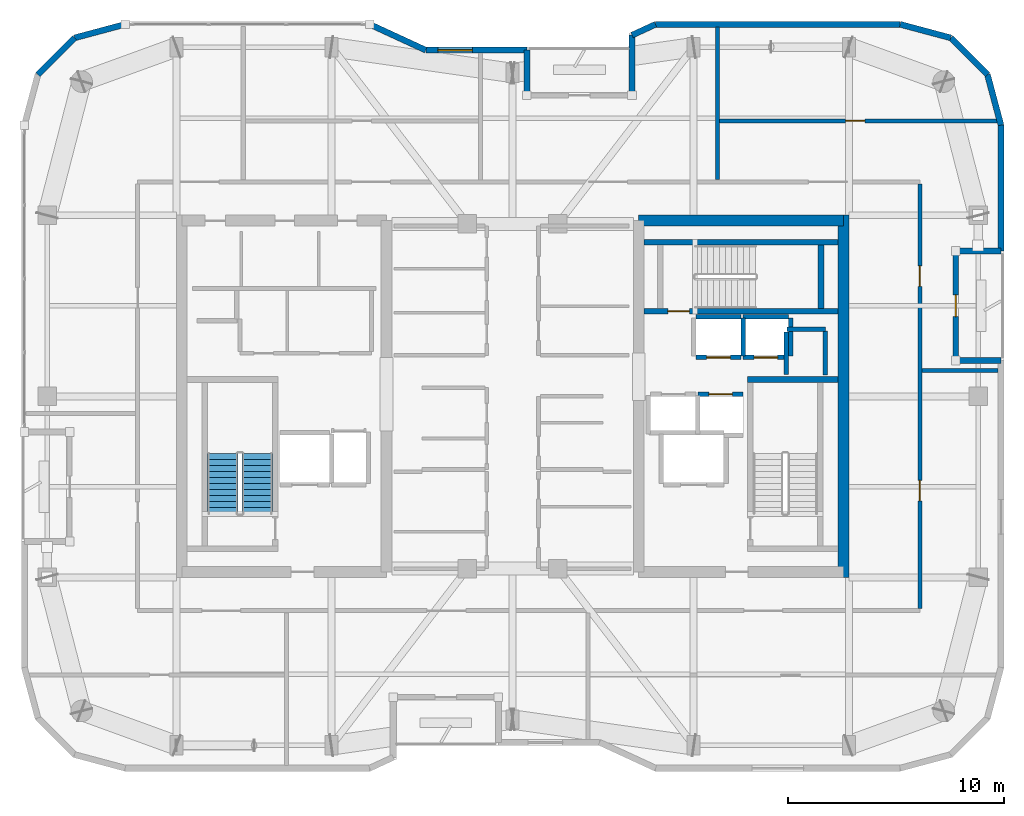
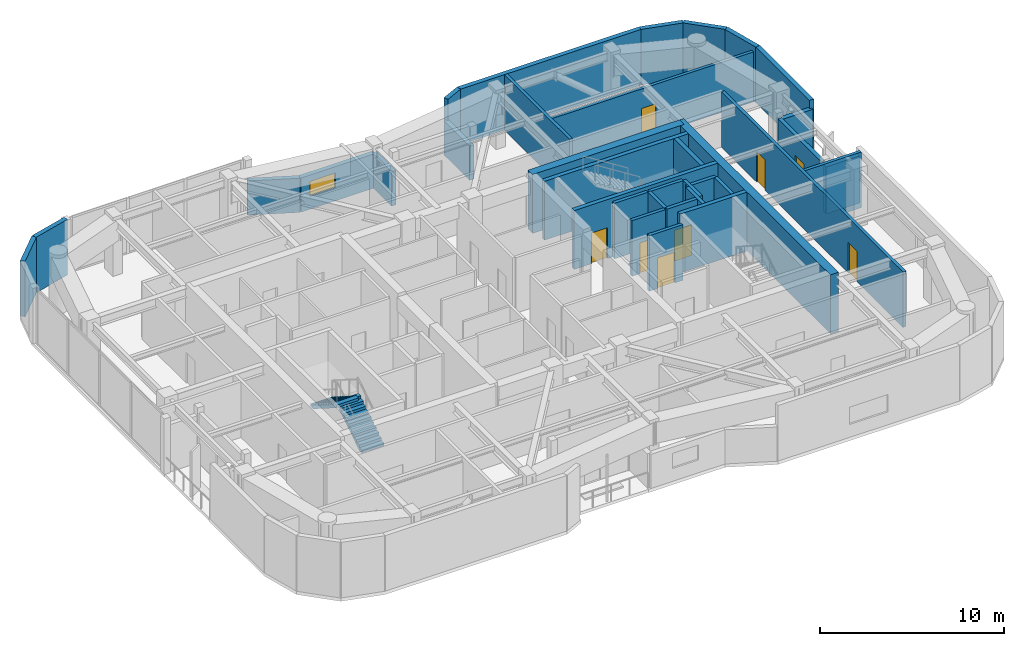
# One storey, part 13 of 16: 35 walls, 8 doors, 2 stair flights, 1 window, 9 openings, 1 element without a shape of its own.
"""IFC4 building model written with IfcOpenShell, lengths in metres."""

import ifcopenshell
import ifcopenshell.guid

model = None  # the IFC model being written
_history = None  # IfcOwnerHistory: only IFC2X3 demands one
_inside = {}  # id of a spatial element -> (the spatial element, [elements in it])
_under = {}  # id of a project, library or spatial element -> (it, [spatial elements below it])
_declared = {}  # id of a project -> (the project, [libraries it declares])
_typed = {}  # id of a type object -> (the type object, [elements of that type])
_made_of = {}  # id of a material, layer set ... -> (it, [elements and type objects made of it])


def new_model(schema):
    """Start an empty IFC model of exactly this schema.

    Asked for "IFC4X3", IfcOpenShell would pick the latest addendum, in which some entities
    have other attributes; the version numbers below select the first issue.
    IFC2X3 requires an IfcOwnerHistory on every rooted entity: one is made here for all.
    """
    global model, _history
    if schema == "IFC4X3":
        model = ifcopenshell.file(schema_version=(4, 3, 0, 0))
    else:
        model = ifcopenshell.file(schema=schema)
    _inside.clear()
    _under.clear()
    _declared.clear()
    _typed.clear()
    _made_of.clear()
    _history = None
    if model.schema == "IFC2X3":
        org = make("IfcOrganization", Name="unknown")
        user = make(
            "IfcPersonAndOrganization",
            ThePerson=make("IfcPerson", FamilyName="unknown"),
            TheOrganization=org,
        )
        app = make(
            "IfcApplication",
            ApplicationDeveloper=org,
            Version="unknown",
            ApplicationFullName="unknown",
            ApplicationIdentifier="unknown",
        )
        _history = make(
            "IfcOwnerHistory",
            OwningUser=user,
            OwningApplication=app,
            ChangeAction="ADDED",
            CreationDate=0,
        )
    return model


def make(cls, **values):
    """One entity of the class cls with the attributes given. An attribute that is None is left unset."""
    return model.create_entity(
        cls, **{name: value for name, value in values.items() if value is not None}
    )


def rooted(cls, **values):
    """An entity with a GlobalId (a new one), such as an element, a storey or a relation."""
    return make(cls, GlobalId=ifcopenshell.guid.new(), OwnerHistory=_history, **values)


def si_unit(unit_type, name, prefix=None):
    """IfcSIUnit, for example si_unit("LENGTHUNIT", "METRE", prefix="MILLI")."""
    return make("IfcSIUnit", UnitType=unit_type, Prefix=prefix, Name=name)


def assignment(units):
    """IfcUnitAssignment: the units of a project."""
    return None if units is None else make("IfcUnitAssignment", Units=units)


def point(xyz):
    """IfcCartesianPoint."""
    return None if xyz is None else make("IfcCartesianPoint", Coordinates=xyz)


def direction(xyz):
    """IfcDirection."""
    return None if xyz is None else make("IfcDirection", DirectionRatios=xyz)


def frame(location, z_axis=None, x_axis=None):
    """IfcAxis2Placement3D, a coordinate frame: its origin and axes. An axis left out is left unset."""
    return make(
        "IfcAxis2Placement3D",
        Location=point(location),
        Axis=direction(z_axis),
        RefDirection=direction(x_axis),
    )


def frame_2d(location, x_axis=None):
    """IfcAxis2Placement2D, a coordinate frame in the plane: its origin and x axis."""
    return make(
        "IfcAxis2Placement2D", Location=point(location), RefDirection=direction(x_axis)
    )


def origin():
    """The frame at (0, 0, 0) with its axes left unset."""
    return frame((0.0, 0.0, 0.0))


def place(relative_to, where):
    """IfcLocalPlacement: puts the frame where relative to a parent placement (None: the world)."""
    return make(
        "IfcLocalPlacement", PlacementRelTo=relative_to, RelativePlacement=where
    )


def context(
    kind, dimensions, precision=None, world=None, true_north=None, identifier=None
):
    """IfcGeometricRepresentationContext, for example the 3D "Model" context."""
    return make(
        "IfcGeometricRepresentationContext",
        ContextIdentifier=identifier,
        ContextType=kind,
        CoordinateSpaceDimension=dimensions,
        Precision=precision,
        WorldCoordinateSystem=world,
        TrueNorth=true_north,
    )


def subcontext(parent, identifier, kind, view, scale=None):
    """IfcGeometricRepresentationSubContext, for example "Body" below "Model"."""
    return make(
        "IfcGeometricRepresentationSubContext",
        ContextIdentifier=identifier,
        ContextType=kind,
        ParentContext=parent,
        TargetScale=scale,
        TargetView=view,
    )


def project(units=None, contexts=None):
    """IfcProject with its units and contexts."""
    return rooted(
        "IfcProject",
        Name="project",
        RepresentationContexts=contexts,
        UnitsInContext=assignment(units),
    )


def spatial(cls, under=None, at=None, **own):
    """A site, building, storey or space (cls), placed at a placement, below another one or the project."""
    s = rooted(cls, ObjectPlacement=at, **own)
    if under is not None:
        _under.setdefault(under.id(), (under, []))[1].append(s)
    return s


def polyline(points):
    """IfcPolyline through the points."""
    return make("IfcPolyline", Points=[point(p) for p in points])


def profile(cls, at=None, kind="AREA", **sizes):
    """A parametric profile (cls). Its sizes go by their IFC names, for example OverallWidth=200.0."""
    return make(cls, ProfileType=kind, Position=at, **sizes)


def rectangle(**sizes):
    """IfcRectangleProfileDef."""
    return profile("IfcRectangleProfileDef", **sizes)


def outline(outer, holes=None, kind="AREA"):
    """IfcArbitraryClosedProfileDef: a profile drawn as a closed curve; with holes, ...WithVoids."""
    if holes is None:
        return make("IfcArbitraryClosedProfileDef", ProfileType=kind, OuterCurve=outer)
    return make(
        "IfcArbitraryProfileDefWithVoids",
        ProfileType=kind,
        OuterCurve=outer,
        InnerCurves=holes,
    )


def extrude(swept, where, along, depth):
    """IfcExtrudedAreaSolid: the profile swept, set in the frame where, extruded along a direction by depth."""
    return make(
        "IfcExtrudedAreaSolid",
        SweptArea=swept,
        Position=where,
        ExtrudedDirection=direction(along),
        Depth=depth,
    )


def shape(context_of_items, identifier, shape_type, items):
    """IfcShapeRepresentation: the items that make up one representation, for example the "Body"."""
    return make(
        "IfcShapeRepresentation",
        ContextOfItems=context_of_items,
        RepresentationIdentifier=identifier,
        RepresentationType=shape_type,
        Items=items,
    )


def material(Name=None, Category=None):
    """IfcMaterial."""
    return make("IfcMaterial", Name=Name, Category=Category)


def layer(
    of_material, thickness, ventilated=None, Name=None, Category=None, Priority=None
):
    """IfcMaterialLayer: one layer of a wall or slab, of a material (None: an air gap)."""
    return make(
        "IfcMaterialLayer",
        Material=of_material,
        LayerThickness=thickness,
        IsVentilated=ventilated,
        Name=Name,
        Category=Category,
        Priority=Priority,
    )


def layer_set(layers, Name=None):
    """IfcMaterialLayerSet."""
    return make("IfcMaterialLayerSet", MaterialLayers=layers, LayerSetName=Name)


def made_of(thing, what):
    """Note that an element or type object is made of a material, layer set ...; save() writes the relation."""
    if what is not None:
        _made_of.setdefault(what.id(), (what, []))[1].append(thing)
    return thing


def type_object(cls, material=None, **own):
    """A type object (cls), such as IfcWallType, which elements share."""
    return made_of(rooted(cls, **own), material)


def element(
    cls,
    number,
    at=None,
    inside=None,
    cuts=None,
    type_object=None,
    material=None,
    context=None,
    identifier="Body",
    shape_type=None,
    held_by="IfcProductDefinitionShape",
    body=None,
    shapes=None,
    **own,
):
    """One element of the class cls, such as IfcWall. Its Tag is "e" and its number.

    at: its placement. inside: the storey or other place that contains it. cuts: it is an
    opening in that element (IfcRelVoidsElement). A single representation is given by context,
    identifier, shape_type and body (its items); several are given by shapes. held_by: the class
    of the entity that holds the representations. save() writes the other relations.
    """
    e = rooted(cls, Tag="e%d" % number, ObjectPlacement=at, **own)
    if body is not None:
        shapes = [shape(context, identifier, shape_type, body)]
    if shapes is not None:
        e.Representation = make(held_by, Representations=shapes)
    if inside is not None:
        _inside.setdefault(inside.id(), (inside, []))[1].append(e)
    if cuts is not None:
        rooted(
            "IfcRelVoidsElement", RelatingBuildingElement=cuts, RelatedOpeningElement=e
        )
    if type_object is not None:
        _typed.setdefault(type_object.id(), (type_object, []))[1].append(e)
    return made_of(e, material)


def fill(opening, filler):
    """IfcRelFillsElement: the door or window that sits in an opening."""
    return rooted(
        "IfcRelFillsElement",
        RelatingOpeningElement=opening,
        RelatedBuildingElement=filler,
    )


def aggregate(whole, parts):
    """IfcRelAggregates: a whole, such as a stair, and the parts it consists of."""
    return rooted("IfcRelAggregates", RelatingObject=whole, RelatedObjects=parts)


def save(model, path):
    """Write the relations noted so far, then the file.

    IfcRelAggregates (storeys below a building ...), IfcRelContainedInSpatialStructure (elements
    in a storey), IfcRelDefinesByType, IfcRelAssociatesMaterial and IfcRelDeclares: one each for
    every whole, place, type object, material and project.
    """
    for whole, parts in _under.values():
        aggregate(whole, parts)
    for where, things in _inside.values():
        rooted(
            "IfcRelContainedInSpatialStructure",
            RelatedElements=things,
            RelatingStructure=where,
        )
    for kind, things in _typed.values():
        rooted("IfcRelDefinesByType", RelatedObjects=things, RelatingType=kind)
    for what, things in _made_of.values():
        rooted("IfcRelAssociatesMaterial", RelatedObjects=things, RelatingMaterial=what)
    for by, libraries in _declared.values():
        rooted("IfcRelDeclares", RelatingContext=by, RelatedDefinitions=libraries)
    model.write(path)


model = new_model("IFC4")

# Units and contexts
model_context = context("Model", 3, precision=1e-05, world=origin(), true_north=direction((0.0, 1.0)))
body_context = subcontext(model_context, "Body", "Model", "MODEL_VIEW")
ifc_project = project(units=[si_unit("LENGTHUNIT", "METRE"), si_unit("AREAUNIT", "SQUARE_METRE"), si_unit("VOLUMEUNIT", "CUBIC_METRE"), si_unit("PLANEANGLEUNIT", "RADIAN"), si_unit("MASSUNIT", "GRAM", prefix="KILO")], contexts=[model_context])

# Site, building, storey
site_placement = place(None, origin())
site = spatial("IfcSite", under=ifc_project, at=site_placement, CompositionType="ELEMENT")
building_placement = place(site_placement, origin())
building = spatial("IfcBuilding", under=site, at=building_placement, Name="Kiyonajd Concourse Tower", CompositionType="ELEMENT")
storey_placement = place(building_placement, frame((0.0, 0.0, 325.800048828125)))
storey = spatial("IfcBuildingStorey", under=building, at=storey_placement, Name="L82", CompositionType="ELEMENT", Elevation=325.800048828125)

# Walls
ifc_material_1 = material(Name="Concrete C60/75", Category="concrete")
ifc_layer_1 = layer(ifc_material_1, 0.5)
ifc_layer_set_1 = layer_set([ifc_layer_1], Name="Concrete C60/75")
wall_type_1 = type_object("IfcWallType", Name="WL-CORE-500", PredefinedType="SHEAR", material=ifc_layer_set_1)
wall_1_placement = place(storey_placement, frame((63.35009765625, 27.60009765625, 0.0), z_axis=(0.0, 0.0, 1.0), x_axis=(0.0, 1.0, 0.0)))
element("IfcWall", 1, at=wall_1_placement, inside=storey, type_object=wall_type_1, Name="L82 East Core Outer Shear Wall", PredefinedType="SHEAR", context=body_context, shape_type="SweptSolid", body=[
    extrude(rectangle(XDim=16.7998046875, YDim=0.5, at=frame_2d((8.39990234375, 0.0))), origin(), (0.0, 0.0, 1.0), 3.89990234375),
])
wall_2_placement = place(storey_placement, frame((53.85009765625, 44.14990234375, 0.0), z_axis=(0.0, 0.0, 1.0), x_axis=(1.0, 0.0, 0.0)))
element("IfcWall", 2, at=wall_2_placement, inside=storey, type_object=wall_type_1, Name="L82 East Core North Shear Wall", PredefinedType="SHEAR", context=body_context, shape_type="SweptSolid", body=[
    extrude(rectangle(XDim=9.5, YDim=0.5, at=frame_2d((4.75, 0.0))), origin(), (0.0, 0.0, 1.0), 3.89990234375),
])
ifc_material_2 = material(Name="Precast concrete C50/60", Category="concrete")
ifc_layer_2 = layer(ifc_material_2, 0.280029296875)
ifc_layer_set_2 = layer_set([ifc_layer_2], Name="Precast concrete C50/60")
wall_type_2 = type_object("IfcWallType", Name="WL-EXT-280", PredefinedType="SOLIDWALL", material=ifc_layer_set_2)
wall_3_placement = place(storey_placement, frame((25.968505859375, 50.927490234375, 0.0), z_axis=(0.0, 0.0, 1.0), x_axis=(0.707106781187, 0.707106781187, 0.0)))
element("IfcWall", 3, at=wall_3_placement, inside=storey, type_object=wall_type_2, Name="L82 Exterior Concrete Frame Wall 07", PredefinedType="SOLIDWALL", context=body_context, shape_type="SweptSolid", body=[
    extrude(rectangle(XDim=2.409912109375, YDim=0.280029296875, at=frame_2d((1.205078125, 0.0))), origin(), (0.0, 0.0, 1.0), 3.679931640625),
])
wall_4_placement = place(storey_placement, frame((27.672607421875, 52.631591796875, 0.0), z_axis=(0.0, 0.0, 1.0), x_axis=(0.965937282298, 0.25877628691, 0.0)))
element("IfcWall", 4, at=wall_4_placement, inside=storey, type_object=wall_type_2, Name="L82 Exterior Concrete Frame Wall 08", PredefinedType="SOLIDWALL", context=body_context, shape_type="SweptSolid", body=[
    extrude(rectangle(XDim=2.428466796875, YDim=0.280029296875, at=frame_2d((1.21435546875, 0.0))), origin(), (0.0, 0.0, 1.0), 3.679931640625),
])
wall_5_placement = place(storey_placement, frame((41.369384765625, 53.260009765625, 0.0), z_axis=(0.0, 0.0, 1.0), x_axis=(0.907956889006, -0.419063584324, 0.0)))
element("IfcWall", 5, at=wall_5_placement, inside=storey, type_object=wall_type_2, Name="L82 Exterior Concrete Frame Wall 10", PredefinedType="SOLIDWALL", context=body_context, shape_type="SweptSolid", body=[
    extrude(rectangle(XDim=2.863525390625, YDim=0.280029296875, at=frame_2d((1.431640625, 0.0))), origin(), (0.0, 0.0, 1.0), 2.264892578125),
])

# Wall, opening, window
wall_6_placement = place(storey_placement, frame((43.96923828125, 52.06005859375, 0.0), z_axis=(0.0, 0.0, 1.0), x_axis=(1.0, 0.0, 0.0)))
wall_6 = element("IfcWall", 6, at=wall_6_placement, inside=storey, type_object=wall_type_2, Name="L82 Exterior Concrete Frame Wall 11", PredefinedType="SOLIDWALL", context=body_context, shape_type="SweptSolid", body=[
    extrude(rectangle(XDim=4.690673828125, YDim=0.280029296875, at=frame_2d((2.34521484375, 0.0))), origin(), (0.0, 0.0, 1.0), 2.264892578125),
])
opening_1_placement = place(wall_6_placement, frame((0.56005859375, 0.0, 0.85009765625)))
opening_1 = element("IfcOpeningElement", 7, at=opening_1_placement, cuts=wall_6, Name="Opening WN6", PredefinedType="OPENING", context=body_context, shape_type="SweptSolid", body=[
    extrude(rectangle(XDim=1.60009765625, YDim=1.0, at=frame_2d((0.800048828125, 0.5))), frame((0.0, 0.14990234375, 0.0), z_axis=(0.0, -1.0, 0.0), x_axis=(1.0, 0.0, 0.0)), (0.0, 0.0, 1.0), 0.300048828125),
])
ifc_material_3 = material(Name="Double Low-E Insulated Glass", Category="glass")
window_type = type_object("IfcWindowType", Name="WN-VIS-1600x1000", PartitioningType="SINGLE_PANEL", PredefinedType="WINDOW", material=ifc_material_3)
window_placement = place(opening_1_placement, origin())
window = element("IfcWindow", 8, at=window_placement, inside=storey, type_object=window_type, Name="L82 Modular Facade Vision Window 11", OverallHeight=1.0, OverallWidth=1.60009765625, PartitioningType="SINGLE_PANEL", PredefinedType="WINDOW", context=body_context, shape_type="SweptSolid", body=[
    extrude(rectangle(XDim=1.60009765625, YDim=1.0, at=frame_2d((0.800048828125, 0.5))), frame((0.0, 0.030029296875, 0.0), z_axis=(0.0, -1.0, 0.0), x_axis=(1.0, 0.0, 0.0)), (0.0, 0.0, 1.0), 0.06005859375),
])
fill(opening_1, window)

# Walls
wall_7_placement = place(storey_placement, frame((48.659912109375, 52.06005859375, 0.0), z_axis=(0.0, 0.0, 1.0), x_axis=(0.0, -1.0, 0.0)))
element("IfcWall", 9, at=wall_7_placement, inside=storey, type_object=wall_type_2, Name="L82 Exterior Concrete Frame Wall 12", PredefinedType="SOLIDWALL", context=body_context, shape_type="SweptSolid", body=[
    extrude(rectangle(XDim=2.10009765625, YDim=0.280029296875, at=frame_2d((1.050048828125, 0.0))), origin(), (0.0, 0.0, 1.0), 2.264892578125),
])
wall_8_placement = place(storey_placement, frame((53.5400390625, 49.9599609375, 0.0), z_axis=(0.0, 0.0, 1.0), x_axis=(0.0, 1.0, 0.0)))
element("IfcWall", 10, at=wall_8_placement, inside=storey, type_object=wall_type_2, Name="L82 Exterior Concrete Frame Wall 14", PredefinedType="SOLIDWALL", context=body_context, shape_type="SweptSolid", body=[
    extrude(rectangle(XDim=2.79638671875, YDim=0.280029296875, at=frame_2d((1.398193359375, 0.0))), origin(), (0.0, 0.0, 1.0), 2.264892578125),
])
wall_9_placement = place(storey_placement, frame((53.5400390625, 52.75634765625, 0.0), z_axis=(0.0, 0.0, 1.0), x_axis=(0.907893953211, 0.419199916176, 0.0)))
element("IfcWall", 11, at=wall_9_placement, inside=storey, type_object=wall_type_2, Name="L82 Exterior Concrete Frame Wall 15", PredefinedType="SOLIDWALL", context=body_context, shape_type="SweptSolid", body=[
    extrude(rectangle(XDim=1.201416015625, YDim=0.280029296875, at=frame_2d((0.6005859375, 0.0))), origin(), (0.0, 0.0, 1.0), 3.679931640625),
])
wall_10_placement = place(storey_placement, frame((54.630859375, 53.260009765625, 0.0), z_axis=(0.0, 0.0, 1.0), x_axis=(1.0, 0.0, 0.0)))
element("IfcWall", 12, at=wall_10_placement, inside=storey, type_object=wall_type_2, Name="L82 Exterior Concrete Frame Wall 16", PredefinedType="SOLIDWALL", context=body_context, shape_type="SweptSolid", body=[
    extrude(rectangle(XDim=11.350830078125, YDim=0.280029296875, at=frame_2d((5.67529296875, 0.0))), origin(), (0.0, 0.0, 1.0), 3.679931640625),
])
wall_11_placement = place(storey_placement, frame((65.981689453125, 53.260009765625, 0.0), z_axis=(0.0, 0.0, 1.0), x_axis=(0.965937282298, -0.25877628691, 0.0)))
element("IfcWall", 13, at=wall_11_placement, inside=storey, type_object=wall_type_2, Name="L82 Exterior Concrete Frame Wall 17", PredefinedType="SOLIDWALL", context=body_context, shape_type="SweptSolid", body=[
    extrude(rectangle(XDim=2.428466796875, YDim=0.280029296875, at=frame_2d((1.21435546875, 0.0))), origin(), (0.0, 0.0, 1.0), 3.679931640625),
])
wall_12_placement = place(storey_placement, frame((68.327392578125, 52.631591796875, 0.0), z_axis=(0.0, 0.0, 1.0), x_axis=(0.707106781187, -0.707106781187, 0.0)))
element("IfcWall", 14, at=wall_12_placement, inside=storey, type_object=wall_type_2, Name="L82 Exterior Concrete Frame Wall 18", PredefinedType="SOLIDWALL", context=body_context, shape_type="SweptSolid", body=[
    extrude(rectangle(XDim=2.409912109375, YDim=0.280029296875, at=frame_2d((1.205078125, 0.0))), origin(), (0.0, 0.0, 1.0), 3.679931640625),
])
wall_13_placement = place(storey_placement, frame((70.031494140625, 50.927490234375, 0.0), z_axis=(0.0, 0.0, 1.0), x_axis=(0.258751159445, -0.965944013639, 0.0)))
element("IfcWall", 15, at=wall_13_placement, inside=storey, type_object=wall_type_2, Name="L82 Exterior Concrete Frame Wall 19", PredefinedType="SOLIDWALL", context=body_context, shape_type="SweptSolid", body=[
    extrude(rectangle(XDim=2.4287109375, YDim=0.280029296875, at=frame_2d((1.21435546875, 0.0))), origin(), (0.0, 0.0, 1.0), 3.679931640625),
])
wall_14_placement = place(storey_placement, frame((70.659912109375, 48.58154296875, 0.0), z_axis=(0.0, 0.0, 1.0), x_axis=(0.0, -1.0, 0.0)))
element("IfcWall", 16, at=wall_14_placement, inside=storey, type_object=wall_type_2, Name="L82 Exterior Concrete Frame Wall 20", PredefinedType="SOLIDWALL", context=body_context, shape_type="SweptSolid", body=[
    extrude(rectangle(XDim=5.841552734375, YDim=0.280029296875, at=frame_2d((2.9208984375, 0.0))), origin(), (0.0, 0.0, 1.0), 3.679931640625),
])
for number, where, z_axis, x_axis, name in (
    (17, (70.659912109375, 42.739990234375, 0.0), (0.0, 0.0, 1.0), (-1.0, 0.0, 0.0), "L82 Exterior Concrete Frame Wall 21"),
    (18, (68.56005859375, 37.659912109375, 0.0), (0.0, 0.0, 1.0), (1.0, 0.0, 0.0), "L82 Exterior Concrete Frame Wall 23"),
):
    element("IfcWall", number, at=place(storey_placement, frame(where, z_axis=z_axis, x_axis=x_axis)), inside=storey, type_object=wall_type_2, Name=name, PredefinedType="SOLIDWALL", context=body_context, shape_type="SweptSolid", body=[
        extrude(rectangle(XDim=2.099853515625, YDim=0.280029296875, at=frame_2d((1.0498046875, 0.0))), origin(), (0.0, 0.0, 1.0), 3.1259765625),
    ])

# Wall, opening, door
ifc_layer_3 = layer(ifc_material_2, 0.239990234375)
ifc_layer_set_3 = layer_set([ifc_layer_3], Name="Precast concrete C50/60")
wall_type_3 = type_object("IfcWallType", Name="WL-LOG-240", PredefinedType="SOLIDWALL", material=ifc_layer_set_3)
wall_15_placement = place(storey_placement, frame((68.56005859375, 42.544921875, 0.0), z_axis=(0.0, 0.0, 1.0), x_axis=(0.0, -1.0, 0.0)))
wall_15 = element("IfcWall", 19, at=wall_15_placement, inside=storey, type_object=wall_type_3, Name="L82 Recessed Loggia Thermal Wall LOG-E", PredefinedType="SOLIDWALL", context=body_context, shape_type="SweptSolid", body=[
    extrude(rectangle(XDim=4.68994140625, YDim=0.239990234375, at=frame_2d((2.344970703125, 0.0))), origin(), (0.0, 0.0, 1.0), 3.31103515625),
])
opening_2_placement = place(wall_15_placement, frame((1.844970703125, 0.0, 0.0)))
opening_2 = element("IfcOpeningElement", 20, at=opening_2_placement, cuts=wall_15, Name="Opening DL1", PredefinedType="OPENING", context=body_context, shape_type="SweptSolid", body=[
    extrude(rectangle(XDim=1.0, YDim=2.02001953125, at=frame_2d((0.5, 1.010009765625))), frame((0.0, 0.1298828125, 0.0), z_axis=(0.0, -1.0, 0.0), x_axis=(1.0, 0.0, 0.0)), (0.0, 0.0, 1.0), 0.260009765625),
])
ifc_material_4 = material(Name="Thermally Broken Anodised Aluminium", Category="aluminium")
door_type_1 = type_object("IfcDoorType", Name="DR-LOG-1000", OperationType="NOTDEFINED", PredefinedType="DOOR", material=ifc_material_4)
door_1_placement = place(opening_2_placement, origin())
door_1 = element("IfcDoor", 21, at=door_1_placement, inside=storey, type_object=door_type_1, Name="L82 Engawa Loggia Access Door LOG-E", OperationType="SINGLE_SWING_LEFT", OverallHeight=2.02001953125, OverallWidth=1.0, PredefinedType="DOOR", context=body_context, shape_type="SweptSolid", body=[
    extrude(rectangle(XDim=1.0, YDim=2.02001953125, at=frame_2d((0.5, 1.010009765625))), frame((0.0, 0.02490234375, 0.0), z_axis=(0.0, -1.0, 0.0), x_axis=(1.0, 0.0, 0.0)), (0.0, 0.0, 1.0), 0.050048828125),
])
fill(opening_2, door_1)

# Wall, openings, doors
ifc_material_5 = material(Name="Gypsum Board on Cold-Formed Steel Stud", Category="steel")
ifc_layer_4 = layer(ifc_material_5, 0.18994140625)
ifc_layer_set_4 = layer_set([ifc_layer_4], Name="Gypsum Board on Cold-Formed Steel Stud")
wall_type_4 = type_object("IfcWallType", Name="WL-PLMB-190", PredefinedType="PLUMBINGWALL", material=ifc_layer_set_4)
wall_16_placement = place(storey_placement, frame((66.89990234375, 26.14697265625, 0.0), z_axis=(0.0, 0.0, 1.0), x_axis=(0.0, 1.0, 0.0)))
wall_16 = element("IfcWall", 22, at=wall_16_placement, inside=storey, type_object=wall_type_4, Name="L82 Interior Partition Wall", PredefinedType="PLUMBINGWALL", context=body_context, shape_type="SweptSolid", body=[
    extrude(rectangle(XDim=19.7060546875, YDim=0.18994140625, at=frame_2d((9.85302734375, 0.0))), origin(), (0.0, 0.0, 1.0), 3.679931640625),
])
opening_3_placement = place(wall_16_placement, frame((5.0029296875, 0.0, 0.0)))
opening_3 = element("IfcOpeningElement", 23, at=opening_3_placement, cuts=wall_16, Name="Opening DI1", PredefinedType="OPENING", context=body_context, shape_type="SweptSolid", body=[
    extrude(rectangle(XDim=0.949951171875, YDim=2.0400390625, at=frame_2d((0.47509765625, 1.02001953125))), frame((0.0, 0.10498046875, 0.0), z_axis=(0.0, -1.0, 0.0), x_axis=(1.0, 0.0, 0.0)), (0.0, 0.0, 1.0), 0.2099609375),
])
opening_4_placement = place(wall_16_placement, frame((14.952880859375, 0.0, 0.0)))
opening_4 = element("IfcOpeningElement", 24, at=opening_4_placement, cuts=wall_16, Name="Opening DI1", PredefinedType="OPENING", context=body_context, shape_type="SweptSolid", body=[
    extrude(rectangle(XDim=0.949951171875, YDim=2.0400390625, at=frame_2d((0.47509765625, 1.02001953125))), frame((0.0, 0.10498046875, 0.0), z_axis=(0.0, -1.0, 0.0), x_axis=(1.0, 0.0, 0.0)), (0.0, 0.0, 1.0), 0.2099609375),
])
ifc_material_6 = material(Name="Natural Oak Acoustic Timber Veneer", Category="wood")
door_type_2 = type_object("IfcDoorType", Name="DR-INT-950", OperationType="NOTDEFINED", PredefinedType="DOOR", material=ifc_material_6)
door_2_placement = place(opening_3_placement, origin())
door_2 = element("IfcDoor", 25, at=door_2_placement, inside=storey, type_object=door_type_2, Name="L82 Interior Door", OperationType="SINGLE_SWING_LEFT", OverallHeight=2.0400390625, OverallWidth=0.949951171875, PredefinedType="DOOR", context=body_context, shape_type="SweptSolid", body=[
    extrude(rectangle(XDim=0.949951171875, YDim=2.0400390625, at=frame_2d((0.47509765625, 1.02001953125))), frame((0.0, 0.02490234375, 0.0), z_axis=(0.0, -1.0, 0.0), x_axis=(1.0, 0.0, 0.0)), (0.0, 0.0, 1.0), 0.050048828125),
])
fill(opening_3, door_2)
door_3_placement = place(opening_4_placement, origin())
door_3 = element("IfcDoor", 26, at=door_3_placement, inside=storey, type_object=door_type_2, Name="L82 Interior Door", OperationType="SINGLE_SWING_RIGHT", OverallHeight=2.0400390625, OverallWidth=0.949951171875, PredefinedType="DOOR", context=body_context, shape_type="SweptSolid", body=[
    extrude(rectangle(XDim=0.949951171875, YDim=2.0400390625, at=frame_2d((0.47509765625, 1.02001953125))), frame((0.0, 0.02490234375, 0.0), z_axis=(0.0, -1.0, 0.0), x_axis=(1.0, 0.0, 0.0)), (0.0, 0.0, 1.0), 0.050048828125),
])
fill(opening_4, door_3)

# Wall, opening, door
wall_17_placement = place(storey_placement, frame((57.5, 48.780029296875, 0.0), z_axis=(0.0, 0.0, 1.0), x_axis=(1.0, 0.0, 0.0)))
wall_17 = element("IfcWall", 27, at=wall_17_placement, inside=storey, type_object=wall_type_4, Name="L82 Interior Partition Wall", PredefinedType="PLUMBINGWALL", context=body_context, shape_type="SweptSolid", body=[
    extrude(rectangle(XDim=12.965087890625, YDim=0.18994140625, at=frame_2d((6.482421875, 0.0))), origin(), (0.0, 0.0, 1.0), 3.31103515625),
])
opening_5_placement = place(wall_17_placement, frame((5.949951171875, 0.0, 0.0)))
opening_5 = element("IfcOpeningElement", 28, at=opening_5_placement, cuts=wall_17, Name="Opening DI2", PredefinedType="OPENING", context=body_context, shape_type="SweptSolid", body=[
    extrude(rectangle(XDim=0.89990234375, YDim=2.02001953125, at=frame_2d((0.449951171875, 1.010009765625))), frame((0.0, 0.10498046875, 0.0), z_axis=(0.0, -1.0, 0.0), x_axis=(1.0, 0.0, 0.0)), (0.0, 0.0, 1.0), 0.2099609375),
])
door_type_3 = type_object("IfcDoorType", Name="DR-INT-900", OperationType="NOTDEFINED", PredefinedType="DOOR", material=ifc_material_6)
door_4_placement = place(opening_5_placement, origin())
door_4 = element("IfcDoor", 29, at=door_4_placement, inside=storey, type_object=door_type_3, Name="L82 Interior Door", OperationType="SINGLE_SWING_RIGHT", OverallHeight=2.02001953125, OverallWidth=0.89990234375, PredefinedType="DOOR", context=body_context, shape_type="SweptSolid", body=[
    extrude(rectangle(XDim=0.89990234375, YDim=2.02001953125, at=frame_2d((0.449951171875, 1.010009765625))), frame((0.0, 0.02490234375, 0.0), z_axis=(0.0, -1.0, 0.0), x_axis=(1.0, 0.0, 0.0)), (0.0, 0.0, 1.0), 0.050048828125),
])
fill(opening_5, door_4)

# Walls
wall_18_placement = place(storey_placement, frame((57.5, 46.047119140625, 0.0), z_axis=(0.0, 0.0, 1.0), x_axis=(0.0, 1.0, 0.0)))
element("IfcWall", 30, at=wall_18_placement, inside=storey, type_object=wall_type_4, Name="L82 Interior Partition Wall", PredefinedType="PLUMBINGWALL", context=body_context, shape_type="SweptSolid", body=[
    extrude(rectangle(XDim=7.077880859375, YDim=0.18994140625, at=frame_2d((3.5390625, 0.0))), origin(), (0.0, 0.0, 1.0), 3.679931640625),
])
wall_19_placement = place(storey_placement, frame((66.9970703125, 37.199951171875, 0.0), z_axis=(0.0, 0.0, 1.0), x_axis=(1.0, 0.0, 0.0)))
element("IfcWall", 31, at=wall_19_placement, inside=storey, type_object=wall_type_4, Name="L82 Interior Partition Wall", PredefinedType="PLUMBINGWALL", context=body_context, shape_type="SweptSolid", body=[
    extrude(rectangle(XDim=3.52783203125, YDim=0.18994140625, at=frame_2d((1.763916015625, 0.0))), origin(), (0.0, 0.0, 1.0), 3.679931640625),
])
ifc_layer_5 = layer(ifc_material_5, 0.2099609375)
ifc_layer_set_5 = layer_set([ifc_layer_5], Name="Gypsum Board on Cold-Formed Steel Stud")
wall_type_5 = type_object("IfcWallType", Name="WL-SHAFT-210", PredefinedType="PARTITIONING", material=ifc_layer_set_5)
wall_20_placement = place(storey_placement, frame((60.719970703125, 39.10009765625, 0.0), z_axis=(0.0, 0.0, 1.0), x_axis=(1.0, 0.0, 0.0)))
element("IfcWall", 32, at=wall_20_placement, inside=storey, type_object=wall_type_5, Name="L82 Shaft Enclosure Wall", PredefinedType="PARTITIONING", context=body_context, shape_type="SweptSolid", body=[
    extrude(rectangle(XDim=1.800048828125, YDim=0.2099609375, at=frame_2d((0.89990234375, 0.0))), origin(), (0.0, 0.0, 1.0), 3.679931640625),
])
wall_21_placement = place(storey_placement, frame((60.699951171875, 37.02001953125, 0.0), z_axis=(0.0, 0.0, 1.0), x_axis=(0.0, 1.0, 0.0)))
element("IfcWall", 33, at=wall_21_placement, inside=storey, type_object=wall_type_5, Name="L82 Shaft Enclosure Wall", PredefinedType="PARTITIONING", context=body_context, shape_type="SweptSolid", body=[
    extrude(rectangle(XDim=1.9599609375, YDim=0.2099609375, at=frame_2d((0.97998046875, 0.0))), origin(), (0.0, 0.0, 1.0), 3.679931640625),
])
wall_22_placement = place(storey_placement, frame((62.5, 36.97998046875, 0.0), z_axis=(0.0, 0.0, 1.0), x_axis=(0.0, 1.0, 0.0)))
element("IfcWall", 34, at=wall_22_placement, inside=storey, type_object=wall_type_5, Name="L82 Shaft Enclosure Wall", PredefinedType="PARTITIONING", context=body_context, shape_type="SweptSolid", body=[
    extrude(rectangle(XDim=2.0400390625, YDim=0.2099609375, at=frame_2d((1.02001953125, 0.0))), origin(), (0.0, 0.0, 1.0), 3.679931640625),
])

# Wall, opening, door
wall_23_placement = place(storey_placement, frame((56.60009765625, 36.10009765625, 0.0), z_axis=(0.0, 0.0, 1.0), x_axis=(1.0, 0.0, 0.0)))
wall_23 = element("IfcWall", 35, at=wall_23_placement, inside=storey, type_object=wall_type_5, Name="L82 Shaft Enclosure Wall", PredefinedType="PARTITIONING", context=body_context, shape_type="SweptSolid", body=[
    extrude(rectangle(XDim=2.099853515625, YDim=0.2099609375, at=frame_2d((1.0498046875, 0.0))), origin(), (0.0, 0.0, 1.0), 3.679931640625),
])
opening_6_placement = place(wall_23_placement, frame((0.5, 0.0, 0.0)))
opening_6 = element("IfcOpeningElement", 36, at=opening_6_placement, cuts=wall_23, Name="Opening LD1", PredefinedType="OPENING", context=body_context, shape_type="SweptSolid", body=[
    extrude(rectangle(XDim=1.10009765625, YDim=2.0400390625, at=frame_2d((0.550048828125, 1.02001953125))), frame((0.0, 0.114990234375, 0.0), z_axis=(0.0, -1.0, 0.0), x_axis=(1.0, 0.0, 0.0)), (0.0, 0.0, 1.0), 0.22998046875),
])
ifc_material_7 = material(Name="Brushed Stainless Steel Cab Assembly", Category="steel")
door_type_4 = type_object("IfcDoorType", Name="DR-LD-1100", OperationType="DOUBLE_DOOR_SLIDING", PredefinedType="DOOR", material=ifc_material_7)
door_5_placement = place(opening_6_placement, origin())
door_5 = element("IfcDoor", 37, at=door_5_placement, inside=storey, type_object=door_type_4, Name="L82 Lift PL-H2 Sliding Landing Door", OperationType="DOUBLE_DOOR_SLIDING", OverallHeight=2.0400390625, OverallWidth=1.10009765625, PredefinedType="DOOR", context=body_context, shape_type="SweptSolid", body=[
    extrude(rectangle(XDim=1.10009765625, YDim=2.0400390625, at=frame_2d((0.550048828125, 1.02001953125))), frame((0.0, 0.02490234375, 0.0), z_axis=(0.0, -1.0, 0.0), x_axis=(1.0, 0.0, 0.0)), (0.0, 0.0, 1.0), 0.050048828125),
])
fill(opening_6, door_5)

wall_24_placement = place(storey_placement, frame((56.5, 37.800048828125, 0.0), z_axis=(0.0, 0.0, 1.0), x_axis=(1.0, 0.0, 0.0)))
wall_24 = element("IfcWall", 38, at=wall_24_placement, inside=storey, type_object=wall_type_5, Name="L82 Shaft Enclosure Wall", PredefinedType="PARTITIONING", context=body_context, shape_type="SweptSolid", body=[
    extrude(rectangle(XDim=2.10009765625, YDim=0.2099609375, at=frame_2d((1.050048828125, 0.0))), origin(), (0.0, 0.0, 1.0), 3.679931640625),
])
opening_7_placement = place(wall_24_placement, frame((0.5, 0.0, 0.0)))
opening_7 = element("IfcOpeningElement", 39, at=opening_7_placement, cuts=wall_24, Name="Opening LD1", PredefinedType="OPENING", context=body_context, shape_type="SweptSolid", body=[
    extrude(rectangle(XDim=1.10009765625, YDim=2.0400390625, at=frame_2d((0.550048828125, 1.02001953125))), frame((0.0, 0.114990234375, 0.0), z_axis=(0.0, -1.0, 0.0), x_axis=(1.0, 0.0, 0.0)), (0.0, 0.0, 1.0), 0.22998046875),
])
door_6_placement = place(opening_7_placement, origin())
door_6 = element("IfcDoor", 40, at=door_6_placement, inside=storey, type_object=door_type_4, Name="L82 Lift PL-H3 Sliding Landing Door", OperationType="DOUBLE_DOOR_SLIDING", OverallHeight=2.0400390625, OverallWidth=1.10009765625, PredefinedType="DOOR", context=body_context, shape_type="SweptSolid", body=[
    extrude(rectangle(XDim=1.10009765625, YDim=2.0400390625, at=frame_2d((0.550048828125, 1.02001953125))), frame((0.0, 0.02490234375, 0.0), z_axis=(0.0, -1.0, 0.0), x_axis=(1.0, 0.0, 0.0)), (0.0, 0.0, 1.0), 0.050048828125),
])
fill(opening_7, door_6)

# Walls
wall_25_placement = place(storey_placement, frame((56.5, 39.699951171875, 0.0), z_axis=(0.0, 0.0, 1.0), x_axis=(1.0, 0.0, 0.0)))
element("IfcWall", 41, at=wall_25_placement, inside=storey, type_object=wall_type_5, Name="L82 Shaft Enclosure Wall", PredefinedType="PARTITIONING", context=body_context, shape_type="SweptSolid", body=[
    extrude(rectangle(XDim=2.10009765625, YDim=0.2099609375, at=frame_2d((1.050048828125, 0.0))), origin(), (0.0, 0.0, 1.0), 3.679931640625),
])
wall_26_placement = place(storey_placement, frame((58.699951171875, 37.860107421875, 0.0), z_axis=(0.0, 0.0, 1.0), x_axis=(0.0, 1.0, 0.0)))
element("IfcWall", 42, at=wall_26_placement, inside=storey, type_object=wall_type_5, Name="L82 Shaft Enclosure Wall", PredefinedType="PARTITIONING", context=body_context, shape_type="SweptSolid", body=[
    extrude(rectangle(XDim=1.77978515625, YDim=0.2099609375, at=frame_2d((0.889892578125, 0.0))), origin(), (0.0, 0.0, 1.0), 3.679931640625),
])

# Wall, opening, door
wall_27_placement = place(storey_placement, frame((58.699951171875, 37.800048828125, 0.0), z_axis=(0.0, 0.0, 1.0), x_axis=(1.0, 0.0, 0.0)))
wall_27 = element("IfcWall", 43, at=wall_27_placement, inside=storey, type_object=wall_type_5, Name="L82 Shaft Enclosure Wall", PredefinedType="PARTITIONING", context=body_context, shape_type="SweptSolid", body=[
    extrude(rectangle(XDim=2.10009765625, YDim=0.2099609375, at=frame_2d((1.050048828125, 0.0))), origin(), (0.0, 0.0, 1.0), 3.679931640625),
])
opening_8_placement = place(wall_27_placement, frame((0.5, 0.0, 0.0)))
opening_8 = element("IfcOpeningElement", 44, at=opening_8_placement, cuts=wall_27, Name="Opening LD1", PredefinedType="OPENING", context=body_context, shape_type="SweptSolid", body=[
    extrude(rectangle(XDim=1.10009765625, YDim=2.0400390625, at=frame_2d((0.550048828125, 1.02001953125))), frame((0.0, 0.114990234375, 0.0), z_axis=(0.0, -1.0, 0.0), x_axis=(1.0, 0.0, 0.0)), (0.0, 0.0, 1.0), 0.22998046875),
])
door_7_placement = place(opening_8_placement, origin())
door_7 = element("IfcDoor", 45, at=door_7_placement, inside=storey, type_object=door_type_4, Name="L82 Lift PL-H4 Sliding Landing Door", OperationType="DOUBLE_DOOR_SLIDING", OverallHeight=2.0400390625, OverallWidth=1.10009765625, PredefinedType="DOOR", context=body_context, shape_type="SweptSolid", body=[
    extrude(rectangle(XDim=1.10009765625, YDim=2.0400390625, at=frame_2d((0.550048828125, 1.02001953125))), frame((0.0, 0.02490234375, 0.0), z_axis=(0.0, -1.0, 0.0), x_axis=(1.0, 0.0, 0.0)), (0.0, 0.0, 1.0), 0.050048828125),
])
fill(opening_8, door_7)

# Walls
wall_28_placement = place(storey_placement, frame((58.699951171875, 39.699951171875, 0.0), z_axis=(0.0, 0.0, 1.0), x_axis=(1.0, 0.0, 0.0)))
element("IfcWall", 46, at=wall_28_placement, inside=storey, type_object=wall_type_5, Name="L82 Shaft Enclosure Wall", PredefinedType="PARTITIONING", context=body_context, shape_type="SweptSolid", body=[
    extrude(rectangle(XDim=2.10009765625, YDim=0.2099609375, at=frame_2d((1.050048828125, 0.0))), origin(), (0.0, 0.0, 1.0), 3.679931640625),
])
wall_29_placement = place(storey_placement, frame((60.89990234375, 37.860107421875, 0.0), z_axis=(0.0, 0.0, 1.0), x_axis=(0.0, 1.0, 0.0)))
element("IfcWall", 47, at=wall_29_placement, inside=storey, type_object=wall_type_5, Name="L82 Shaft Enclosure Wall", PredefinedType="PARTITIONING", context=body_context, shape_type="SweptSolid", body=[
    extrude(rectangle(XDim=1.77978515625, YDim=0.2099609375, at=frame_2d((0.889892578125, 0.0))), origin(), (0.0, 0.0, 1.0), 3.679931640625),
])
ifc_material_8 = material(Name="Concrete C50/60", Category="concrete")
ifc_layer_6 = layer(ifc_material_8, 0.260009765625)
ifc_layer_set_6 = layer_set([ifc_layer_6], Name="Concrete C50/60")
wall_type_6 = type_object("IfcWallType", Name="WL-STAIR-260", PredefinedType="SHEAR", material=ifc_layer_set_6)
wall_30_placement = place(storey_placement, frame((58.889892578125, 36.780029296875, 0.0), z_axis=(0.0, 0.0, 1.0), x_axis=(1.0, 0.0, 0.0)))
element("IfcWall", 48, at=wall_30_placement, inside=storey, type_object=wall_type_6, Name="L82 Stair ST2 Structural North Wall", PredefinedType="SHEAR", context=body_context, shape_type="SweptSolid", body=[
    extrude(rectangle(XDim=4.210205078125, YDim=0.260009765625, at=frame_2d((2.10498046875, 0.0))), origin(), (0.0, 0.0, 1.0), 3.89990234375),
])

# Wall, opening, door
wall_31_placement = place(storey_placement, frame((54.10009765625, 39.949951171875, 0.0), z_axis=(0.0, 0.0, 1.0), x_axis=(1.0, 0.0, 0.0)))
wall_31 = element("IfcWall", 49, at=wall_31_placement, inside=storey, type_object=wall_type_6, Name="L82 Stair ST3 Structural South Wall", PredefinedType="SHEAR", context=body_context, shape_type="SweptSolid", body=[
    extrude(rectangle(XDim=9.0, YDim=0.260009765625, at=frame_2d((4.5, 0.0))), origin(), (0.0, 0.0, 1.0), 3.89990234375),
])
opening_9_placement = place(wall_31_placement, frame((1.10009765625, 0.0, 0.0)))
opening_9 = element("IfcOpeningElement", 50, at=opening_9_placement, cuts=wall_31, Name="Opening DF1", PredefinedType="OPENING", context=body_context, shape_type="SweptSolid", body=[
    extrude(rectangle(XDim=1.0, YDim=2.0400390625, at=frame_2d((0.5, 1.02001953125))), frame((0.0, 0.139892578125, 0.0), z_axis=(0.0, -1.0, 0.0), x_axis=(1.0, 0.0, 0.0)), (0.0, 0.0, 1.0), 0.280029296875),
])
door_type_5 = type_object("IfcDoorType", Name="DR-FD90-1000", OperationType="NOTDEFINED", PredefinedType="DOOR", material=ifc_material_7)
door_8_placement = place(opening_9_placement, origin())
door_8 = element("IfcDoor", 51, at=door_8_placement, inside=storey, type_object=door_type_5, Name="L82 Stair ST3 Enclosure Door", OperationType="SINGLE_SWING_LEFT", OverallHeight=2.0400390625, OverallWidth=1.0, PredefinedType="DOOR", context=body_context, shape_type="SweptSolid", body=[
    extrude(rectangle(XDim=1.0, YDim=2.0400390625, at=frame_2d((0.5, 1.02001953125))), frame((0.0, 0.02490234375, 0.0), z_axis=(0.0, -1.0, 0.0), x_axis=(1.0, 0.0, 0.0)), (0.0, 0.0, 1.0), 0.050048828125),
])
fill(opening_9, door_8)

# Walls
wall_32_placement = place(storey_placement, frame((54.10009765625, 43.14990234375, 0.0), z_axis=(0.0, 0.0, 1.0), x_axis=(1.0, 0.0, 0.0)))
element("IfcWall", 52, at=wall_32_placement, inside=storey, type_object=wall_type_6, Name="L82 Stair ST3 Structural North Wall", PredefinedType="SHEAR", context=body_context, shape_type="SweptSolid", body=[
    extrude(rectangle(XDim=9.0, YDim=0.260009765625, at=frame_2d((4.5, 0.0))), origin(), (0.0, 0.0, 1.0), 3.89990234375),
])
wall_33_placement = place(storey_placement, frame((62.31005859375, 40.080078125, 0.0), z_axis=(0.0, 0.0, 1.0), x_axis=(0.0, 1.0, 0.0)))
element("IfcWall", 53, at=wall_33_placement, inside=storey, type_object=wall_type_6, Name="L82 Stair ST3 Structural East Wall", PredefinedType="SHEAR", context=body_context, shape_type="SweptSolid", body=[
    extrude(rectangle(XDim=2.93994140625, YDim=0.260009765625, at=frame_2d((1.469970703125, 0.0))), origin(), (0.0, 0.0, 1.0), 3.89990234375),
])

# Stair, stair flights
ifc_material_9 = material(Name="Concrete C40/50", Category="concrete")
stair_type = type_object("IfcStairType", Name="ST-DLG-22R", PredefinedType="HALF_TURN_STAIR", material=ifc_material_9)
stair_placement = place(storey_placement, origin())
stair = element("IfcStair", 54, at=stair_placement, inside=storey, type_object=stair_type, Name="L82 Protected Exit Stair ST1", PredefinedType="HALF_TURN_STAIR")
stair_flight_type = type_object("IfcStairFlightType", Name="SF-STR-22R", PredefinedType="STRAIGHT", material=ifc_material_9)
stair_flight_1_placement = place(storey_placement, frame((36.14990234375, 30.550048828125, 0.0), z_axis=(0.0, 0.0, 1.0), x_axis=(0.0, 1.0, 0.0)))
stair_flight_1 = element("IfcStairFlight", 55, at=stair_flight_1_placement, type_object=stair_flight_type, Name="ST1 flight 1", NumberOfRisers=11, NumberOfTreads=10, PredefinedType="STRAIGHT", RiserHeight=0.177272727, TreadLength=0.28, context=body_context, shape_type="SweptSolid", body=[
    extrude(outline(polyline([(0.0, 0.0), (0.0, 0.17724609375), (0.280029296875, 0.17724609375), (0.280029296875, 0.3544921875), (0.56005859375, 0.3544921875), (0.56005859375, 0.53173828125), (0.840087890625, 0.53173828125), (0.840087890625, 0.708984375), (1.1201171875, 0.708984375), (1.1201171875, 0.886474609375), (1.39990234375, 0.886474609375), (1.39990234375, 1.063720703125), (1.679931640625, 1.063720703125), (1.679931640625, 1.240966796875), (1.9599609375, 1.240966796875), (1.9599609375, 1.418212890625), (2.239990234375, 1.418212890625), (2.239990234375, 1.595458984375), (2.52001953125, 1.595458984375), (2.52001953125, 1.772705078125), (2.800048828125, 1.772705078125), (2.800048828125, 1.949951171875), (2.800048828125, 1.59521484375), (0.2802734375, 0.0), (0.0, 0.0)])), frame((0.0, 0.699951171875, 0.0), z_axis=(0.0, -1.0, 0.0), x_axis=(1.0, 0.0, 0.0)), (0.0, 0.0, 1.0), 1.39990234375),
])
stair_flight_2_placement = place(storey_placement, frame((34.550048828125, 33.35009765625, 1.949951171875), z_axis=(0.0, 0.0, 1.0), x_axis=(0.0, -1.0, 0.0)))
stair_flight_2 = element("IfcStairFlight", 56, at=stair_flight_2_placement, type_object=stair_flight_type, Name="ST1 flight 2", NumberOfRisers=11, NumberOfTreads=10, PredefinedType="STRAIGHT", RiserHeight=0.177272727, TreadLength=0.28, context=body_context, shape_type="SweptSolid", body=[
    extrude(outline(polyline([(0.0, 0.0), (0.0, 0.17724609375), (0.280029296875, 0.17724609375), (0.280029296875, 0.3544921875), (0.56005859375, 0.3544921875), (0.56005859375, 0.53173828125), (0.840087890625, 0.53173828125), (0.840087890625, 0.708984375), (1.1201171875, 0.708984375), (1.1201171875, 0.886474609375), (1.39990234375, 0.886474609375), (1.39990234375, 1.063720703125), (1.679931640625, 1.063720703125), (1.679931640625, 1.240966796875), (1.9599609375, 1.240966796875), (1.9599609375, 1.418212890625), (2.239990234375, 1.418212890625), (2.239990234375, 1.595458984375), (2.52001953125, 1.595458984375), (2.52001953125, 1.772705078125), (2.800048828125, 1.772705078125), (2.800048828125, 1.949951171875), (2.800048828125, 1.59521484375), (0.2802734375, 0.0), (0.0, 0.0)])), frame((0.0, 0.699951171875, 0.0), z_axis=(0.0, -1.0, 0.0), x_axis=(1.0, 0.0, 0.0)), (0.0, 0.0, 1.0), 1.39990234375),
])
aggregate(stair, [stair_flight_1, stair_flight_2])

save(model, "model.ifc")
